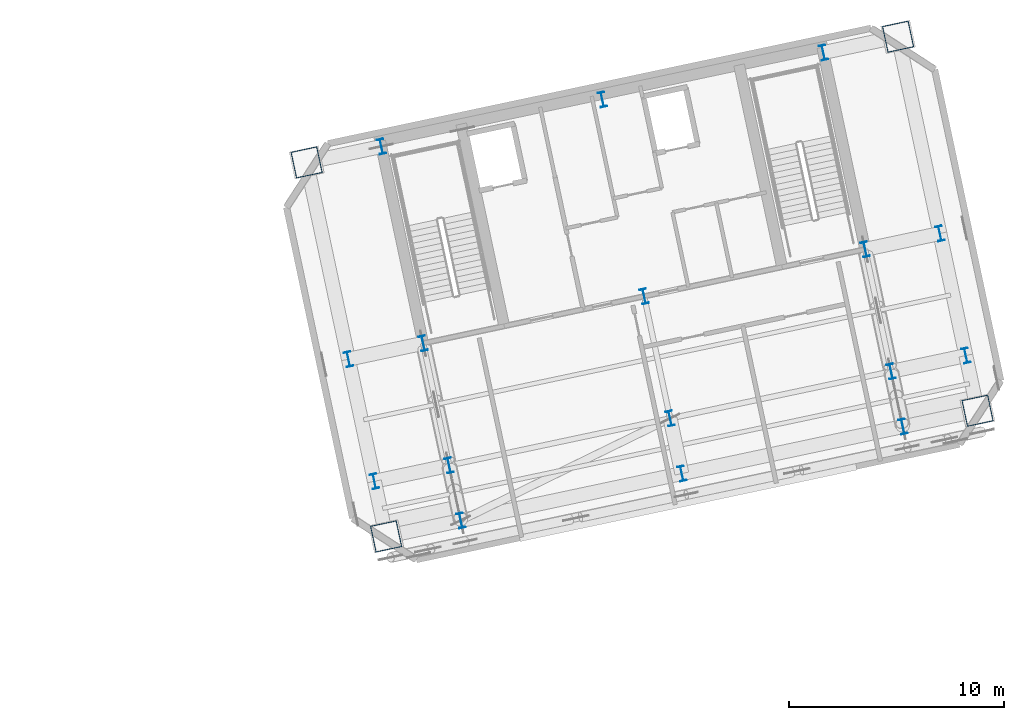
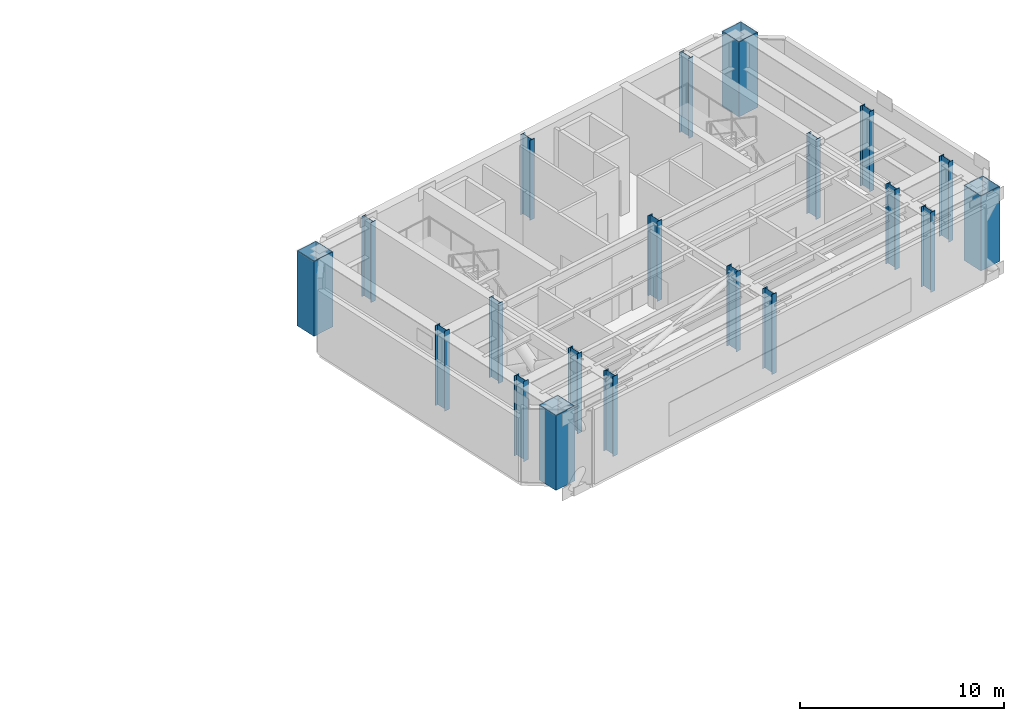
# One storey, part 2 of 15: 20 columns.
"""IFC4 building model written with IfcOpenShell, lengths in metres."""

from ifc_helpers import new_model, si_unit, direction, frame, origin, origin_2d, place, context, subcontext, project, spatial, hollow_rectangle, i_section, extrude, material, material_profile, profile_set, type_object, element, save


model = new_model("IFC4")

# Units and contexts
model_context = context("Model", 3, precision=1e-05, world=origin(), true_north=direction((0.0, 1.0)))
body_context = subcontext(model_context, "Body", "Model", "MODEL_VIEW")
ifc_project = project(units=[si_unit("LENGTHUNIT", "METRE"), si_unit("AREAUNIT", "SQUARE_METRE"), si_unit("VOLUMEUNIT", "CUBIC_METRE"), si_unit("PLANEANGLEUNIT", "RADIAN"), si_unit("MASSUNIT", "GRAM", prefix="KILO")], contexts=[model_context])

# Site, building, storey
site_placement = place(None, origin())
site = spatial("IfcSite", under=ifc_project, at=site_placement, CompositionType="ELEMENT")
building_placement = place(site_placement, origin())
building = spatial("IfcBuilding", under=site, at=building_placement, Name="Haevon Station Towers", CompositionType="ELEMENT")
storey_placement = place(building_placement, frame((0.0, 0.0, 192.300048828125)))
storey = spatial("IfcBuildingStorey", under=building, at=storey_placement, Name="L53", CompositionType="ELEMENT", Elevation=192.300048828125)

# Columns
ifc_material_1 = material(Name="Steel S460", Category="steel")
ifc_material_profile_1 = material_profile(ifc_material_1, hollow_rectangle(XDim=1.25, YDim=1.25, WallThickness=0.034912109375, at=origin_2d()), Name="BOX-1250x1250x35")
ifc_profile_set_1 = profile_set([ifc_material_profile_1], Name="Steel S460")
column_type_1 = type_object("IfcColumnType", Name="COL-MC4", PredefinedType="COLUMN", material=ifc_profile_set_1)
for number, where, z_axis, x_axis, name in (
    (1, (97.030517578125, 28.46826171875, 0.0), (0.0, 0.0, 1.0), (0.978147600734, 0.207911690818, 0.0), "COL-T2-L53-01-01"),
    (2, (93.3359375, 45.85009765625, 0.0), (0.0, 0.0, 1.0), (0.978147600734, 0.207911690818, 0.0), "COL-T2-L53-01-04"),
    (3, (124.5166015625, 34.310546875, 0.0), (0.0, 0.0, 1.0), (0.978147600734, 0.207911690818, 0.0), "COL-T2-L53-05-01"),
    (4, (120.822021484375, 51.6923828125, 0.0), (0.0, 0.0, 1.0), (0.978147600734, 0.207911690818, 0.0), "COL-T2-L53-05-04"),
):
    element("IfcColumn", number, at=place(storey_placement, frame(where, z_axis=z_axis, x_axis=x_axis)), inside=storey, type_object=column_type_1, Name=name, PredefinedType="COLUMN", context=body_context, shape_type="SweptSolid", body=[
        extrude(hollow_rectangle(XDim=1.25, YDim=1.25, WallThickness=0.034912109375, at=origin_2d()), origin(), (0.0, 0.0, 1.0), 4.5),
    ])
ifc_material_2 = material(Name="Steel S355", Category="steel")
ifc_material_profile_2 = material_profile(ifc_material_2, i_section(OverallWidth=0.300048828125, OverallDepth=0.699951171875, WebThickness=0.01611328125, FlangeThickness=0.028076171875, at=origin_2d()), Name="H-700x300x16x28")
ifc_profile_set_2 = profile_set([ifc_material_profile_2], Name="Steel S355")
column_type_2 = type_object("IfcColumnType", Name="COL-TW3", PredefinedType="COLUMN", material=ifc_profile_set_2)
for number, where, z_axis, x_axis, name in (
    (5, (96.48583984375, 31.031005859375, 0.0), (0.0, 0.0, 1.0), (0.978147600734, 0.207911690818, 0.0), "COL-T2-L53-01-02"),
    (6, (95.280029296875, 36.704345703125, 0.0), (0.0, 0.0, 1.0), (0.978147600734, 0.207911690818, 0.0), "COL-T2-L53-01-03"),
    (7, (100.5029296875, 29.206298828125, 0.0), (0.0, 0.0, 1.0), (0.978147600734, 0.207911690818, 0.0), "COL-T2-L53-02-01"),
    (8, (99.958251953125, 31.76904296875, 0.0), (0.0, 0.0, 1.0), (0.978147600734, 0.207911690818, 0.0), "COL-T2-L53-02-02"),
    (9, (98.75244140625, 37.4423828125, 0.0), (0.0, 0.0, 1.0), (0.978147600734, 0.207911690818, 0.0), "COL-T2-L53-02-03"),
    (10, (96.808349609375, 46.588134765625, 0.0), (0.0, 0.0, 1.0), (0.978147600734, 0.207911690818, 0.0), "COL-T2-L53-02-04"),
    (11, (110.7734375, 31.389404296875, 0.0), (0.0, 0.0, 1.0), (0.978147600734, 0.207911690818, 0.0), "COL-T2-L53-03-01"),
    (12, (110.228759765625, 33.9521484375, 0.0), (0.0, 0.0, 1.0), (0.978147600734, 0.207911690818, 0.0), "COL-T2-L53-03-02"),
    (13, (109.02294921875, 39.62548828125, 0.0), (0.0, 0.0, 1.0), (0.978147600734, 0.207911690818, 0.0), "COL-T2-L53-03-03"),
    (14, (107.078857421875, 48.771240234375, 0.0), (0.0, 0.0, 1.0), (0.978147600734, 0.207911690818, 0.0), "COL-T2-L53-03-04"),
    (15, (121.0439453125, 33.572509765625, 0.0), (0.0, 0.0, 1.0), (0.978147600734, 0.207911690818, 0.0), "COL-T2-L53-04-01"),
    (16, (120.499267578125, 36.13525390625, 0.0), (0.0, 0.0, 1.0), (0.978147600734, 0.207911690818, 0.0), "COL-T2-L53-04-02"),
    (17, (119.29345703125, 41.80859375, 0.0), (0.0, 0.0, 1.0), (0.978147600734, 0.207911690818, 0.0), "COL-T2-L53-04-03"),
    (18, (117.349365234375, 50.954345703125, 0.0), (0.0, 0.0, 1.0), (0.978147600734, 0.207911690818, 0.0), "COL-T2-L53-04-04"),
    (19, (123.9716796875, 36.873291015625, 0.0), (0.0, 0.0, 1.0), (0.978147600734, 0.207911690818, 0.0), "COL-T2-L53-05-02"),
    (20, (122.765869140625, 42.546630859375, 0.0), (0.0, 0.0, 1.0), (0.978147600734, 0.207911690818, 0.0), "COL-T2-L53-05-03"),
):
    element("IfcColumn", number, at=place(storey_placement, frame(where, z_axis=z_axis, x_axis=x_axis)), inside=storey, type_object=column_type_2, Name=name, PredefinedType="COLUMN", context=body_context, shape_type="SweptSolid", body=[
        extrude(i_section(OverallWidth=0.300048828125, OverallDepth=0.699951171875, WebThickness=0.01611328125, FlangeThickness=0.028076171875, at=origin_2d()), origin(), (0.0, 0.0, 1.0), 4.800048828125),
    ])

save(model, "model.ifc")
